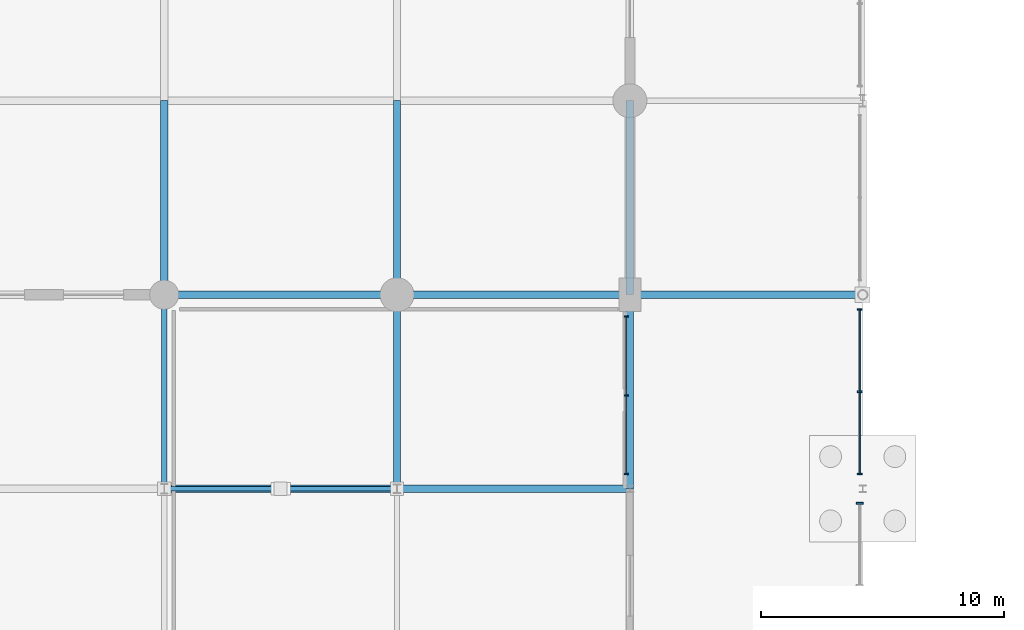
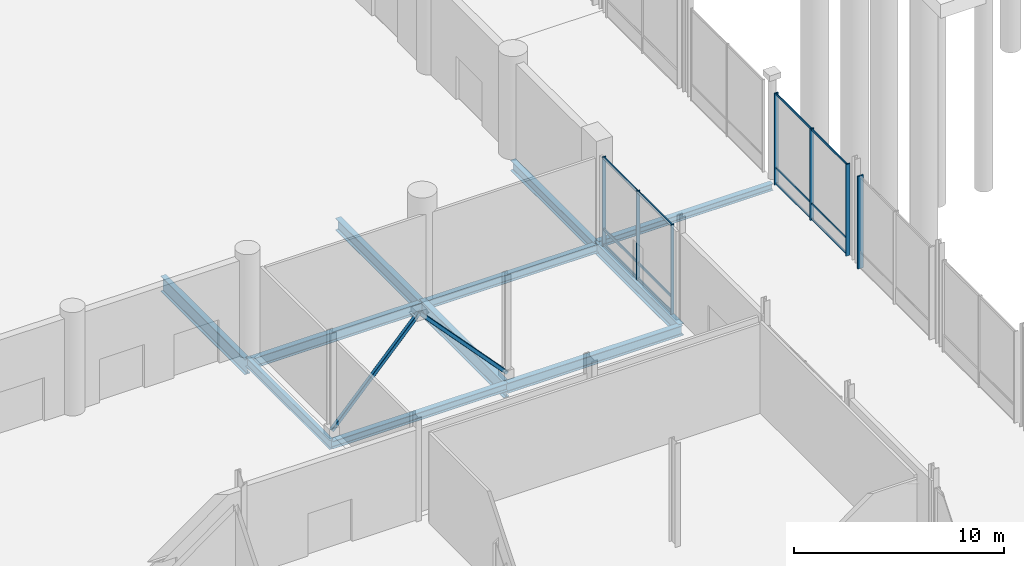
# One storey, part 46 of 124: 15 members, 11 beams, 3 elements without a shape of their own.
"""IFC4 building model written with IfcOpenShell, lengths in metres."""

from ifc_helpers import new_model, si_unit, direction, frame, origin, origin_2d, place, context, subcontext, project, spatial, rectangle, hollow_rectangle, i_section, extrude, material, material_profile, profile_set, type_object, element, aggregate, save


model = new_model("IFC4")

# Units and contexts
model_context = context("Model", 3, precision=1e-05, world=origin(), true_north=direction((0.0, 1.0)))
body_context = subcontext(model_context, "Body", "Model", "MODEL_VIEW")
ifc_project = project(units=[si_unit("LENGTHUNIT", "METRE"), si_unit("AREAUNIT", "SQUARE_METRE"), si_unit("VOLUMEUNIT", "CUBIC_METRE"), si_unit("PLANEANGLEUNIT", "RADIAN"), si_unit("MASSUNIT", "GRAM", prefix="KILO")], contexts=[model_context])

# Site, building, storey
site_placement = place(None, origin())
site = spatial("IfcSite", under=ifc_project, at=site_placement, CompositionType="ELEMENT")
building_placement = place(site_placement, origin())
building = spatial("IfcBuilding", under=site, at=building_placement, Name="Danafjord Basin Convention Centre", CompositionType="ELEMENT")
storey_placement = place(building_placement, origin())
storey = spatial("IfcBuildingStorey", under=building, at=storey_placement, Name="L00", CompositionType="ELEMENT", Elevation=0.0)

# Beams
ifc_material_1 = material(Name="Steel S355", Category="steel")
ifc_material_profile_1 = material_profile(ifc_material_1, i_section(OverallWidth=0.300048828125, OverallDepth=0.389892578125, WebThickness=0.010986328125, FlangeThickness=0.01904296875, FilletRadius=0.027099609375, at=origin_2d()), Name="HEA 400")
ifc_profile_set_1 = profile_set([ifc_material_profile_1], Name="Steel S355")
beam_type_1 = type_object("IfcBeamType", Name="BEAM-BM-HEA400", PredefinedType="BEAM", material=ifc_profile_set_1)
beam_1_placement = place(storey_placement, frame((115.199951171875, 56.0, -0.485107421875), z_axis=(1.0, 0.0, 0.0), x_axis=(0.0, 1.0, 0.0)))
element("IfcBeam", 1, at=beam_1_placement, inside=storey, type_object=beam_type_1, Name="L00 girder BM-HEA400", PredefinedType="BEAM", context=body_context, shape_type="SweptSolid", body=[
    extrude(i_section(OverallWidth=0.300048828125, OverallDepth=0.389892578125, WebThickness=0.010986328125, FlangeThickness=0.01904296875, FilletRadius=0.027099609375, at=origin_2d()), origin(), (0.0, 0.0, 1.0), 9.60009765625),
])
ifc_material_profile_2 = material_profile(ifc_material_1, i_section(OverallWidth=0.300048828125, OverallDepth=0.489990234375, WebThickness=0.011962890625, FlangeThickness=0.02294921875, FilletRadius=0.027099609375, at=origin_2d()), Name="HEA 500")
ifc_profile_set_2 = profile_set([ifc_material_profile_2], Name="Steel S355")
beam_type_2 = type_object("IfcBeamType", Name="BEAM-BM-HEA500", PredefinedType="BEAM", material=ifc_profile_set_2)
beam_2_placement = place(storey_placement, frame((105.60009765625, 56.0, -0.695068359375), z_axis=(1.0, 0.0, 0.0), x_axis=(0.0, 1.0, 0.0)))
element("IfcBeam", 2, at=beam_2_placement, inside=storey, type_object=beam_type_2, Name="L00 girder BM-HEA500", PredefinedType="BEAM", context=body_context, shape_type="SweptSolid", body=[
    extrude(i_section(OverallWidth=0.300048828125, OverallDepth=0.489990234375, WebThickness=0.011962890625, FlangeThickness=0.02294921875, FilletRadius=0.027099609375, at=origin_2d()), origin(), (0.0, 0.0, 1.0), 9.599853515625),
])
ifc_material_profile_3 = material_profile(ifc_material_1, i_section(OverallWidth=0.300048828125, OverallDepth=0.590087890625, WebThickness=0.012939453125, FlangeThickness=0.02490234375, FilletRadius=0.027099609375, at=origin_2d()), Name="HEA 600")
ifc_profile_set_3 = profile_set([ifc_material_profile_3], Name="Steel S355")
beam_type_3 = type_object("IfcBeamType", Name="BEAM-BM-HEA600", PredefinedType="BEAM", material=ifc_profile_set_3)
beam_3_placement = place(storey_placement, frame((96.0, 56.0, -0.7451171875), z_axis=(1.0, 0.0, 0.0), x_axis=(0.0, 1.0, 0.0)))
element("IfcBeam", 3, at=beam_3_placement, inside=storey, type_object=beam_type_3, Name="L00 girder BM-HEA600", PredefinedType="BEAM", context=body_context, shape_type="SweptSolid", body=[
    extrude(i_section(OverallWidth=0.300048828125, OverallDepth=0.590087890625, WebThickness=0.012939453125, FlangeThickness=0.02490234375, FilletRadius=0.027099609375, at=origin_2d()), origin(), (0.0, 0.0, 1.0), 9.60009765625),
])
beam_4_placement = place(storey_placement, frame((105.60009765625, 48.0, -0.60498046875), z_axis=(1.0, 0.0, 0.0), x_axis=(0.0, 1.0, 0.0)))
element("IfcBeam", 4, at=beam_4_placement, inside=storey, type_object=beam_type_3, Name="L00 girder BM-HEA600", PredefinedType="BEAM", context=body_context, shape_type="SweptSolid", body=[
    extrude(i_section(OverallWidth=0.300048828125, OverallDepth=0.590087890625, WebThickness=0.012939453125, FlangeThickness=0.02490234375, FilletRadius=0.027099609375, at=origin_2d()), origin(), (0.0, 0.0, 1.0), 9.599853515625),
])
ifc_material_profile_4 = material_profile(ifc_material_1, i_section(OverallWidth=0.300048828125, OverallDepth=0.449951171875, WebThickness=0.013916015625, FlangeThickness=0.02587890625, FilletRadius=0.027099609375, at=origin_2d()), Name="HEB 450")
ifc_profile_set_4 = profile_set([ifc_material_profile_4], Name="Steel S355")
beam_type_4 = type_object("IfcBeamType", Name="BEAM-BM-HEB450", PredefinedType="BEAM", material=ifc_profile_set_4)
beam_5_placement = place(storey_placement, frame((96.0, 48.0, -0.534912109375), z_axis=(1.0, 0.0, 0.0), x_axis=(0.0, 1.0, 0.0)))
element("IfcBeam", 5, at=beam_5_placement, inside=storey, type_object=beam_type_4, Name="L00 girder BM-HEB450", PredefinedType="BEAM", context=body_context, shape_type="SweptSolid", body=[
    extrude(i_section(OverallWidth=0.300048828125, OverallDepth=0.449951171875, WebThickness=0.013916015625, FlangeThickness=0.02587890625, FilletRadius=0.027099609375, at=origin_2d()), origin(), (0.0, 0.0, 1.0), 9.60009765625),
])
ifc_material_profile_5 = material_profile(ifc_material_1, i_section(OverallWidth=0.300048828125, OverallDepth=0.60009765625, WebThickness=0.015380859375, FlangeThickness=0.030029296875, FilletRadius=0.027099609375, at=origin_2d()), Name="HEB 600")
ifc_profile_set_5 = profile_set([ifc_material_profile_5], Name="Steel S355")
beam_type_5 = type_object("IfcBeamType", Name="BEAM-BM-HEB600", PredefinedType="BEAM", material=ifc_profile_set_5)
beam_6_placement = place(storey_placement, frame((115.199951171875, 56.0, -0.75), z_axis=(0.0, 1.0, 0.0), x_axis=(-1.0, 0.0, 0.0)))
element("IfcBeam", 6, at=beam_6_placement, inside=storey, type_object=beam_type_5, Name="L00 transverse girder BM-HEB600", PredefinedType="BEAM", context=body_context, shape_type="SweptSolid", body=[
    extrude(i_section(OverallWidth=0.300048828125, OverallDepth=0.60009765625, WebThickness=0.015380859375, FlangeThickness=0.030029296875, FilletRadius=0.027099609375, at=origin_2d()), origin(), (0.0, 0.0, 1.0), 8.0),
])
ifc_material_profile_6 = material_profile(ifc_material_1, i_section(OverallWidth=0.300048828125, OverallDepth=0.699951171875, WebThickness=0.01708984375, FlangeThickness=0.031982421875, FilletRadius=0.027099609375, at=origin_2d()), Name="HEB 700")
ifc_profile_set_6 = profile_set([ifc_material_profile_6], Name="Steel S355")
beam_type_6 = type_object("IfcBeamType", Name="BEAM-BM-HEB700", PredefinedType="BEAM", material=ifc_profile_set_6)
for number, where, z_axis, x_axis, name in (
    (7, (105.60009765625, 56.0, -0.800048828125), (0.0, 1.0, 0.0), (-1.0, 0.0, 0.0), "L00 transverse girder BM-HEB700"),
    (8, (115.199951171875, 48.0, -0.659912109375), (0.0, 1.0, 0.0), (-1.0, 0.0, 0.0), "L00 transverse girder BM-HEB700"),
):
    element("IfcBeam", number, at=place(storey_placement, frame(where, z_axis=z_axis, x_axis=x_axis)), inside=storey, type_object=beam_type_6, Name=name, PredefinedType="BEAM", context=body_context, shape_type="SweptSolid", body=[
        extrude(i_section(OverallWidth=0.300048828125, OverallDepth=0.699951171875, WebThickness=0.01708984375, FlangeThickness=0.031982421875, FilletRadius=0.027099609375, at=origin_2d()), origin(), (0.0, 0.0, 1.0), 8.0),
    ])
ifc_material_profile_7 = material_profile(ifc_material_1, i_section(OverallWidth=0.300048828125, OverallDepth=0.89990234375, WebThickness=0.0185546875, FlangeThickness=0.034912109375, FilletRadius=0.030029296875, at=origin_2d()), Name="HEB 900")
ifc_profile_set_7 = profile_set([ifc_material_profile_7], Name="Steel S355")
beam_type_7 = type_object("IfcBeamType", Name="BEAM-BM-HEB900", PredefinedType="BEAM", material=ifc_profile_set_7)
for number, where, z_axis, x_axis, name in (
    (9, (96.0, 56.0, -0.89990234375), (0.0, 1.0, 0.0), (-1.0, 0.0, 0.0), "L00 transverse girder BM-HEB900"),
    (10, (105.60009765625, 48.0, -0.760009765625), (0.0, 1.0, 0.0), (-1.0, 0.0, 0.0), "L00 transverse girder BM-HEB900"),
):
    element("IfcBeam", number, at=place(storey_placement, frame(where, z_axis=z_axis, x_axis=x_axis)), inside=storey, type_object=beam_type_7, Name=name, PredefinedType="BEAM", context=body_context, shape_type="SweptSolid", body=[
        extrude(i_section(OverallWidth=0.300048828125, OverallDepth=0.89990234375, WebThickness=0.0185546875, FlangeThickness=0.034912109375, FilletRadius=0.030029296875, at=origin_2d()), origin(), (0.0, 0.0, 1.0), 8.0),
    ])
ifc_material_profile_8 = material_profile(ifc_material_1, i_section(OverallWidth=0.2099609375, OverallDepth=0.550048828125, WebThickness=0.010986328125, FlangeThickness=0.01708984375, FilletRadius=0.02392578125, at=origin_2d()), Name="IPE 550")
ifc_profile_set_8 = profile_set([ifc_material_profile_8], Name="Steel S355")
beam_type_8 = type_object("IfcBeamType", Name="BEAM-BM-IPE550", PredefinedType="BEAM", material=ifc_profile_set_8)
beam_7_placement = place(storey_placement, frame((96.0, 48.0, -0.5849609375), z_axis=(0.0, 1.0, 0.0), x_axis=(-1.0, 0.0, 0.0)))
element("IfcBeam", 11, at=beam_7_placement, inside=storey, type_object=beam_type_8, Name="L00 transverse girder BM-IPE550", PredefinedType="BEAM", context=body_context, shape_type="SweptSolid", body=[
    extrude(i_section(OverallWidth=0.2099609375, OverallDepth=0.550048828125, WebThickness=0.010986328125, FlangeThickness=0.01708984375, FilletRadius=0.02392578125, at=origin_2d()), origin(), (0.0, 0.0, 1.0), 8.0),
])

# Members
ifc_material_profile_9 = material_profile(ifc_material_1, hollow_rectangle(XDim=0.199951171875, YDim=0.199951171875, WallThickness=0.010009765625, InnerFilletRadius=0.014892578125, OuterFilletRadius=0.02490234375, at=origin_2d()), Name="SHS 200x200x10.0")
ifc_profile_set_9 = profile_set([ifc_material_profile_9], Name="Steel S355")
member_type_1 = type_object("IfcMemberType", Name="MEM-BRS-200", PredefinedType="BRACE", material=ifc_profile_set_9)
for number, where, z_axis, x_axis, name in (
    (12, (96.0, 48.0, 0.25), (0.681822621397, 0.0, 0.73151754111), (0.0, 1.0, 0.0), "Diagonal brace BRS-200 (L00 braced frame BF-04 diagonal A)"),
    (13, (105.60009765625, 48.0, 0.25), (-0.681822621397, 0.0, 0.73151754111), (0.0, -1.0, 0.0), "Diagonal brace BRS-200 (L00 braced frame BF-04 diagonal B)"),
):
    element("IfcMember", number, at=place(storey_placement, frame(where, z_axis=z_axis, x_axis=x_axis)), inside=storey, type_object=member_type_1, Name=name, PredefinedType="BRACE", context=body_context, shape_type="SweptSolid", body=[
        extrude(hollow_rectangle(XDim=0.199951171875, YDim=0.199951171875, WallThickness=0.010009765625, InnerFilletRadius=0.014892578125, OuterFilletRadius=0.02490234375, at=origin_2d()), origin(), (0.0, 0.0, 1.0), 7.0400390625),
    ])

# Curtain wall, members
ifc_material_2 = material(Name="Anodised aluminium and triple glazing", Category="aluminium")
curtain_wall_type_1 = type_object("IfcCurtainWallType", Name="CW-CW-TERR", PredefinedType="NOTDEFINED", material=ifc_material_2)
curtain_wall_1_placement = place(storey_placement, origin())
curtain_wall_1 = element("IfcCurtainWall", 14, at=curtain_wall_1_placement, inside=storey, type_object=curtain_wall_type_1, Name="L00 CW-TERR unitised curtain wall bay 46", PredefinedType="NOTDEFINED")
ifc_material_3 = material(Name="Anodised aluminium EN AW-6060", Category="aluminium")
ifc_material_profile_10 = material_profile(ifc_material_3, rectangle(XDim=0.06005859375, YDim=0.179931640625, at=origin_2d()), Name="MULL 60x180")
ifc_profile_set_10 = profile_set([ifc_material_profile_10], Name="Anodised aluminium EN AW-6060")
member_type_2 = type_object("IfcMemberType", Name="MEM-ML-180", PredefinedType="MULLION", material=ifc_profile_set_10)
member_1_placement = place(storey_placement, frame((115.050048828125, 48.60009765625, -0.02490234375), z_axis=(0.0, 0.0, 1.0), x_axis=(0.0, 1.0, 0.0)))
member_1 = element("IfcMember", 15, at=member_1_placement, type_object=member_type_2, Name="CW-L00-046 mullion 1", PredefinedType="MULLION", context=body_context, shape_type="SweptSolid", body=[
    extrude(rectangle(XDim=0.06005859375, YDim=0.179931640625, at=origin_2d()), origin(), (0.0, 0.0, 1.0), 5.184814453125),
])
member_2_placement = place(storey_placement, frame((115.050048828125, 51.85009765625, -0.02490234375), z_axis=(0.0, 0.0, 1.0), x_axis=(0.0, 1.0, 0.0)))
member_2 = element("IfcMember", 16, at=member_2_placement, type_object=member_type_2, Name="CW-L00-046 mullion 2", PredefinedType="MULLION", context=body_context, shape_type="SweptSolid", body=[
    extrude(rectangle(XDim=0.06005859375, YDim=0.179931640625, at=origin_2d()), origin(), (0.0, 0.0, 1.0), 5.184814453125),
])
member_3_placement = place(storey_placement, frame((115.050048828125, 55.10009765625, -0.02490234375), z_axis=(0.0, 0.0, 1.0), x_axis=(0.0, 1.0, 0.0)))
member_3 = element("IfcMember", 17, at=member_3_placement, type_object=member_type_2, Name="CW-L00-046 mullion 3", PredefinedType="MULLION", context=body_context, shape_type="SweptSolid", body=[
    extrude(rectangle(XDim=0.06005859375, YDim=0.179931640625, at=origin_2d()), origin(), (0.0, 0.0, 1.0), 5.184814453125),
])

curtain_wall_type_2 = type_object("IfcCurtainWallType", Name="CW-CW-BRIDGE", PredefinedType="NOTDEFINED", material=ifc_material_2)
curtain_wall_2_placement = place(storey_placement, origin())
curtain_wall_2 = element("IfcCurtainWall", 18, at=curtain_wall_2_placement, inside=storey, type_object=curtain_wall_type_2, Name="L00 CW-BRIDGE unitised curtain wall bay 162", PredefinedType="NOTDEFINED")
ifc_material_profile_11 = material_profile(ifc_material_3, rectangle(XDim=0.06494140625, YDim=0.219970703125, at=origin_2d()), Name="MULL 65x220")
ifc_profile_set_11 = profile_set([ifc_material_profile_11], Name="Anodised aluminium EN AW-6060")
member_type_3 = type_object("IfcMemberType", Name="MEM-ML-220", PredefinedType="MULLION", material=ifc_profile_set_11)
member_4_placement = place(storey_placement, frame((124.679931640625, 48.60009765625, -0.02490234375), z_axis=(0.0, 0.0, 1.0), x_axis=(0.0, 1.0, 0.0)))
member_4 = element("IfcMember", 19, at=member_4_placement, type_object=member_type_3, Name="CW-L00-162 mullion 1", PredefinedType="MULLION", context=body_context, shape_type="SweptSolid", body=[
    extrude(rectangle(XDim=0.06494140625, YDim=0.219970703125, at=origin_2d()), origin(), (0.0, 0.0, 1.0), 5.3349609375),
])
member_5_placement = place(storey_placement, frame((124.679931640625, 52.0, -0.02490234375), z_axis=(0.0, 0.0, 1.0), x_axis=(0.0, 1.0, 0.0)))
member_5 = element("IfcMember", 20, at=member_5_placement, type_object=member_type_3, Name="CW-L00-162 mullion 2", PredefinedType="MULLION", context=body_context, shape_type="SweptSolid", body=[
    extrude(rectangle(XDim=0.06494140625, YDim=0.219970703125, at=origin_2d()), origin(), (0.0, 0.0, 1.0), 5.3349609375),
])
member_6_placement = place(storey_placement, frame((124.679931640625, 55.39990234375, -0.02490234375), z_axis=(0.0, 0.0, 1.0), x_axis=(0.0, 1.0, 0.0)))
member_6 = element("IfcMember", 21, at=member_6_placement, type_object=member_type_3, Name="CW-L00-162 mullion 3", PredefinedType="MULLION", context=body_context, shape_type="SweptSolid", body=[
    extrude(rectangle(XDim=0.06494140625, YDim=0.219970703125, at=origin_2d()), origin(), (0.0, 0.0, 1.0), 5.3349609375),
])

# Curtain wall, member
curtain_wall_3_placement = place(storey_placement, origin())
curtain_wall_3 = element("IfcCurtainWall", 22, at=curtain_wall_3_placement, inside=storey, type_object=curtain_wall_type_2, Name="L00 CW-BRIDGE unitised curtain wall bay 159", PredefinedType="NOTDEFINED")
ifc_material_profile_12 = material_profile(ifc_material_3, rectangle(XDim=0.080078125, YDim=0.300048828125, at=origin_2d()), Name="MULL 80x300")
ifc_profile_set_12 = profile_set([ifc_material_profile_12], Name="Anodised aluminium EN AW-6060")
member_type_4 = type_object("IfcMemberType", Name="MEM-ML-300", PredefinedType="MULLION", material=ifc_profile_set_12)
member_7_placement = place(storey_placement, frame((124.679931640625, 47.39990234375, -0.02490234375), z_axis=(0.0, 0.0, 1.0), x_axis=(0.0, 1.0, 0.0)))
member_7 = element("IfcMember", 23, at=member_7_placement, type_object=member_type_4, Name="CW-L00-159 mullion 3", PredefinedType="MULLION", context=body_context, shape_type="SweptSolid", body=[
    extrude(rectangle(XDim=0.080078125, YDim=0.300048828125, at=origin_2d()), origin(), (0.0, 0.0, 1.0), 5.385009765625),
])
aggregate(curtain_wall_3, [member_7])

# Member
ifc_material_profile_13 = material_profile(ifc_material_3, rectangle(XDim=0.06005859375, YDim=0.110107421875, at=origin_2d()), Name="TRAN 60x110")
ifc_profile_set_13 = profile_set([ifc_material_profile_13], Name="Anodised aluminium EN AW-6060")
member_type_5 = type_object("IfcMemberType", Name="MEM-TR-110", PredefinedType="USERDEFINED", material=ifc_profile_set_13)
member_8_placement = place(storey_placement, frame((124.679931640625, 48.60009765625, 0.06005859375), z_axis=(0.0, 1.0, 0.0), x_axis=(-1.0, 0.0, 0.0)))
member_8 = element("IfcMember", 24, at=member_8_placement, type_object=member_type_5, Name="CW-L00-162 transom 1", ObjectType="TRANSOM", PredefinedType="USERDEFINED", context=body_context, shape_type="SweptSolid", body=[
    extrude(rectangle(XDim=0.06005859375, YDim=0.110107421875, at=origin_2d()), origin(), (0.0, 0.0, 1.0), 6.7998046875),
])

member_9_placement = place(storey_placement, frame((124.679931640625, 48.60009765625, 0.949951171875), z_axis=(0.0, 1.0, 0.0), x_axis=(-1.0, 0.0, 0.0)))
member_9 = element("IfcMember", 25, at=member_9_placement, type_object=member_type_5, Name="CW-L00-162 transom 2", ObjectType="TRANSOM", PredefinedType="USERDEFINED", context=body_context, shape_type="SweptSolid", body=[
    extrude(rectangle(XDim=0.06005859375, YDim=0.110107421875, at=origin_2d()), origin(), (0.0, 0.0, 1.0), 6.7998046875),
])

member_10_placement = place(storey_placement, frame((124.679931640625, 48.60009765625, 5.239990234375), z_axis=(0.0, 1.0, 0.0), x_axis=(-1.0, 0.0, 0.0)))
member_10 = element("IfcMember", 26, at=member_10_placement, type_object=member_type_5, Name="CW-L00-162 transom 3", ObjectType="TRANSOM", PredefinedType="USERDEFINED", context=body_context, shape_type="SweptSolid", body=[
    extrude(rectangle(XDim=0.06005859375, YDim=0.110107421875, at=origin_2d()), origin(), (0.0, 0.0, 1.0), 6.7998046875),
])

aggregate(curtain_wall_2, [member_4, member_5, member_6, member_8, member_9, member_10])

ifc_material_profile_14 = material_profile(ifc_material_3, rectangle(XDim=0.06005859375, YDim=0.14990234375, at=origin_2d()), Name="TRAN 60x150")
ifc_profile_set_14 = profile_set([ifc_material_profile_14], Name="Anodised aluminium EN AW-6060")
member_type_6 = type_object("IfcMemberType", Name="MEM-TR-150", PredefinedType="USERDEFINED", material=ifc_profile_set_14)
member_11_placement = place(storey_placement, frame((115.050048828125, 48.60009765625, 0.06005859375), z_axis=(0.0, 1.0, 0.0), x_axis=(-1.0, 0.0, 0.0)))
member_11 = element("IfcMember", 27, at=member_11_placement, type_object=member_type_6, Name="CW-L00-046 transom 1", ObjectType="TRANSOM", PredefinedType="USERDEFINED", context=body_context, shape_type="SweptSolid", body=[
    extrude(rectangle(XDim=0.06005859375, YDim=0.14990234375, at=origin_2d()), origin(), (0.0, 0.0, 1.0), 6.5),
])

member_12_placement = place(storey_placement, frame((115.050048828125, 48.60009765625, 0.949951171875), z_axis=(0.0, 1.0, 0.0), x_axis=(-1.0, 0.0, 0.0)))
member_12 = element("IfcMember", 28, at=member_12_placement, type_object=member_type_6, Name="CW-L00-046 transom 2", ObjectType="TRANSOM", PredefinedType="USERDEFINED", context=body_context, shape_type="SweptSolid", body=[
    extrude(rectangle(XDim=0.06005859375, YDim=0.14990234375, at=origin_2d()), origin(), (0.0, 0.0, 1.0), 6.5),
])

member_13_placement = place(storey_placement, frame((115.050048828125, 48.60009765625, 5.090087890625), z_axis=(0.0, 1.0, 0.0), x_axis=(-1.0, 0.0, 0.0)))
member_13 = element("IfcMember", 29, at=member_13_placement, type_object=member_type_6, Name="CW-L00-046 transom 3", ObjectType="TRANSOM", PredefinedType="USERDEFINED", context=body_context, shape_type="SweptSolid", body=[
    extrude(rectangle(XDim=0.06005859375, YDim=0.14990234375, at=origin_2d()), origin(), (0.0, 0.0, 1.0), 6.5),
])

aggregate(curtain_wall_1, [member_1, member_2, member_3, member_11, member_12, member_13])

save(model, "model.ifc")
